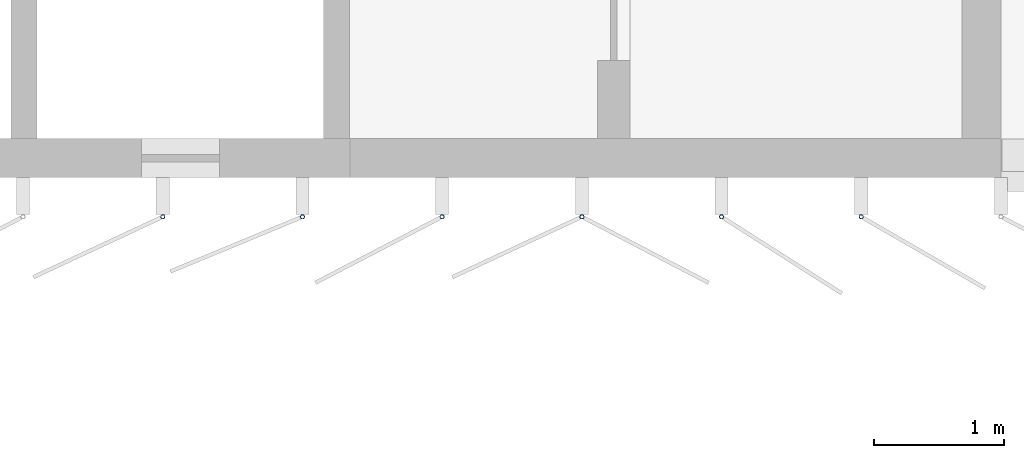
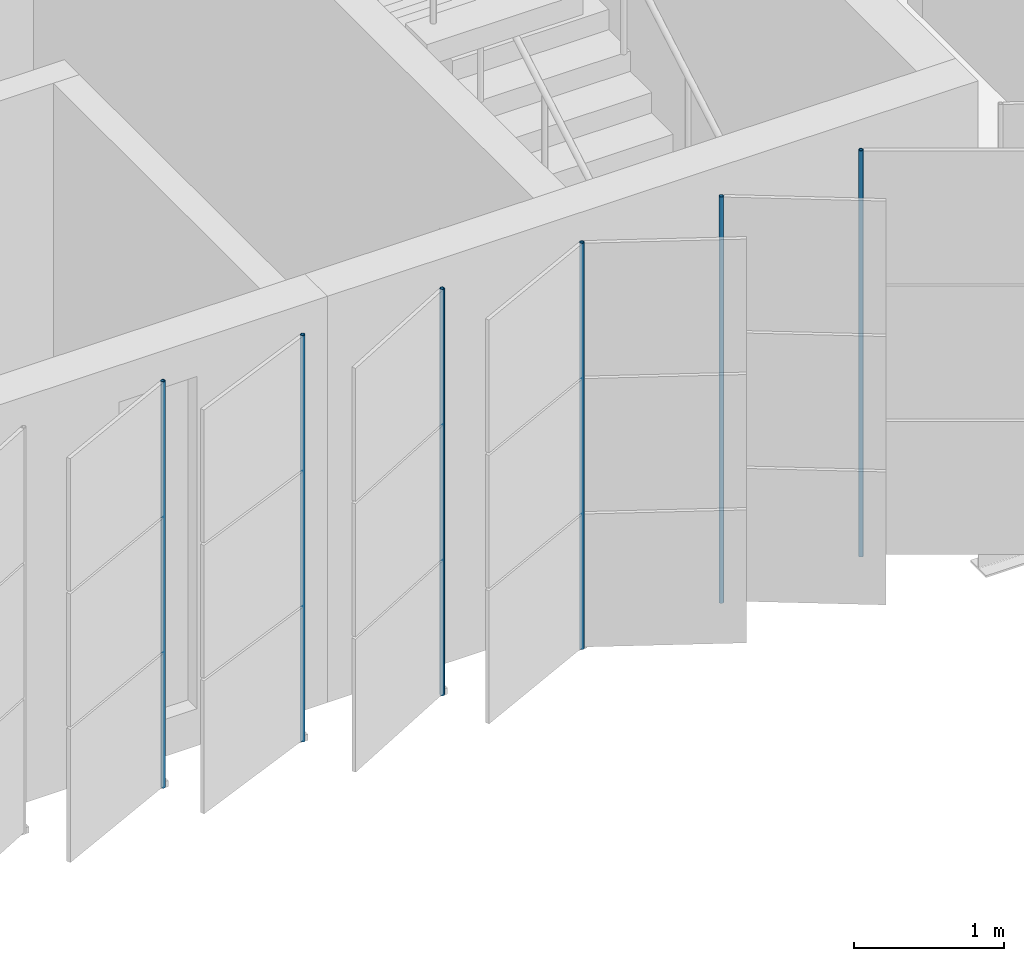
# One storey, part 118 of 214: 6 discrete accessories.
"""IFC4 building model written with IfcOpenShell, lengths in metres."""

from ifc_helpers import new_model, si_unit, direction, frame, origin, origin_2d, place, context, subcontext, project, spatial, hollow_circle, extrude, material, material_profile, profile_set, type_object, element, save


model = new_model("IFC4")

# Units and contexts
model_context = context("Model", 3, precision=1e-05, world=origin(), true_north=direction((0.0, 1.0)))
body_context = subcontext(model_context, "Body", "Model", "MODEL_VIEW")
ifc_project = project(units=[si_unit("LENGTHUNIT", "METRE"), si_unit("AREAUNIT", "SQUARE_METRE"), si_unit("VOLUMEUNIT", "CUBIC_METRE"), si_unit("PLANEANGLEUNIT", "RADIAN"), si_unit("MASSUNIT", "GRAM", prefix="KILO")], contexts=[model_context])

# Site, building, storey
site_placement = place(None, origin())
site = spatial("IfcSite", under=ifc_project, at=site_placement, CompositionType="ELEMENT")
building_placement = place(site_placement, origin())
building = spatial("IfcBuilding", under=site, at=building_placement, Name="Parallax Yard Mobility Hub", CompositionType="ELEMENT")
storey_placement = place(building_placement, frame((0.0, 0.0, 3.300048828125)))
storey = spatial("IfcBuildingStorey", under=building, at=storey_placement, Name="L01", CompositionType="ELEMENT", Elevation=3.300048828125)

# Discrete accessories
ifc_material = material(Name="Steel ASTM A500 Gr C, hot-dip galvanised", Category="steel")
ifc_material_profile = material_profile(ifc_material, hollow_circle(Radius=0.016845703125, WallThickness=0.003173828125, at=origin_2d()), Name="CHS 33.7x3.2")
ifc_profile_set = profile_set([ifc_material_profile], Name="Steel ASTM A500 Gr C, hot-dip galvanised")
discrete_accessory_type = type_object("IfcDiscreteAccessoryType", Name="Hinge post CHS 33.7x3.2", PredefinedType="BRACKET", material=ifc_profile_set)
for number, where, z_axis, x_axis, name in (
    (1, (136.064697265625, 112.199951171875, 0.0), (0.0, 0.0, 1.0), (1.0, 0.0, 0.0), "Hinge post bay 13.9 level L01"),
    (2, (137.136962890625, 112.199951171875, 0.0), (0.0, 0.0, 1.0), (1.0, 0.0, 0.0), "Hinge post bay 13.10 level L01"),
    (3, (138.209228515625, 112.199951171875, 0.0), (0.0, 0.0, 1.0), (1.0, 0.0, 0.0), "Hinge post bay 13.11 level L01"),
    (4, (139.281494140625, 112.199951171875, 0.0), (0.0, 0.0, 1.0), (1.0, 0.0, 0.0), "Hinge post bay 13.12 level L01"),
    (5, (140.353515625, 112.199951171875, 0.0), (0.0, 0.0, 1.0), (1.0, 0.0, 0.0), "Hinge post bay 13.13 level L01"),
    (6, (141.42578125, 112.199951171875, 0.0), (0.0, 0.0, 1.0), (1.0, 0.0, 0.0), "Hinge post bay 13.14 level L01"),
):
    element("IfcDiscreteAccessory", number, at=place(storey_placement, frame(where, z_axis=z_axis, x_axis=x_axis)), inside=storey, type_object=discrete_accessory_type, Name=name, PredefinedType="BRACKET", context=body_context, shape_type="SweptSolid", body=[
        extrude(hollow_circle(Radius=0.016845703125, WallThickness=0.003173828125, at=origin_2d()), origin(), (0.0, 0.0, 1.0), 3.300048828125),
    ])

save(model, "model.ifc")
